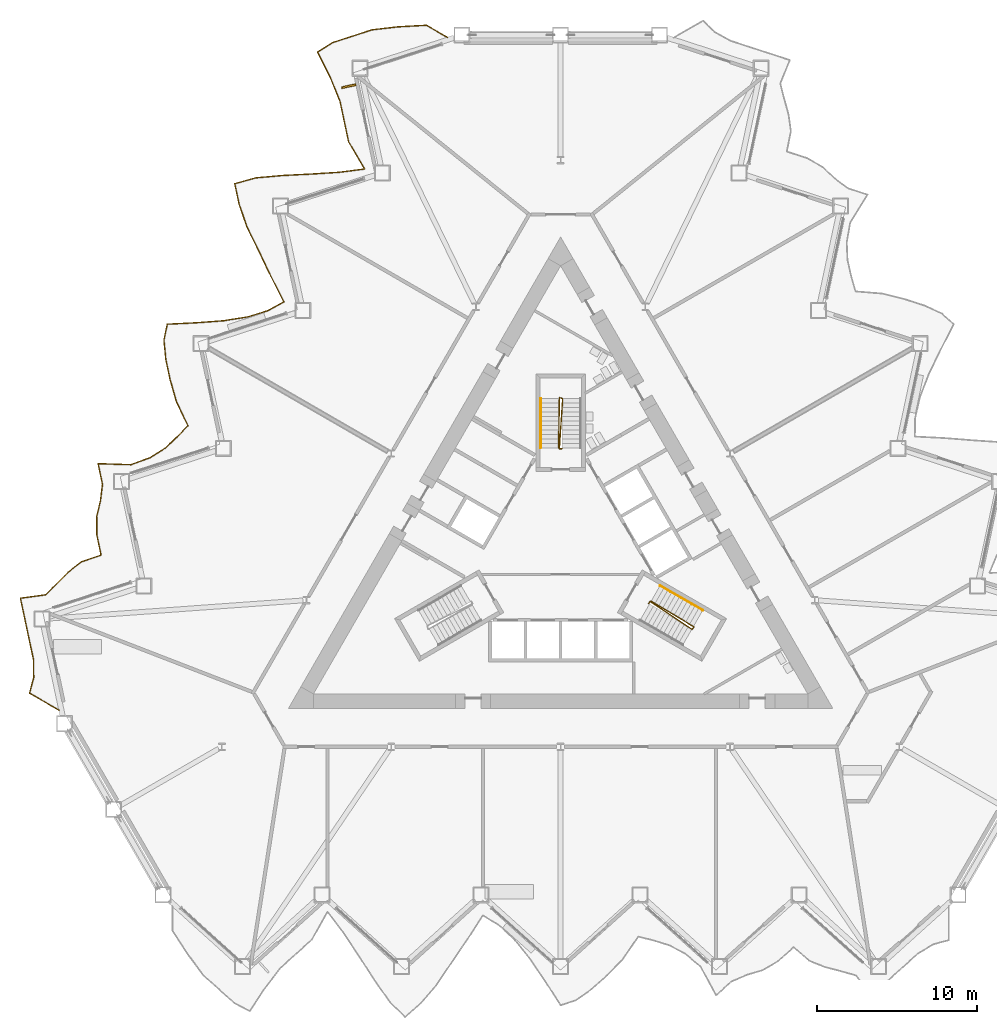
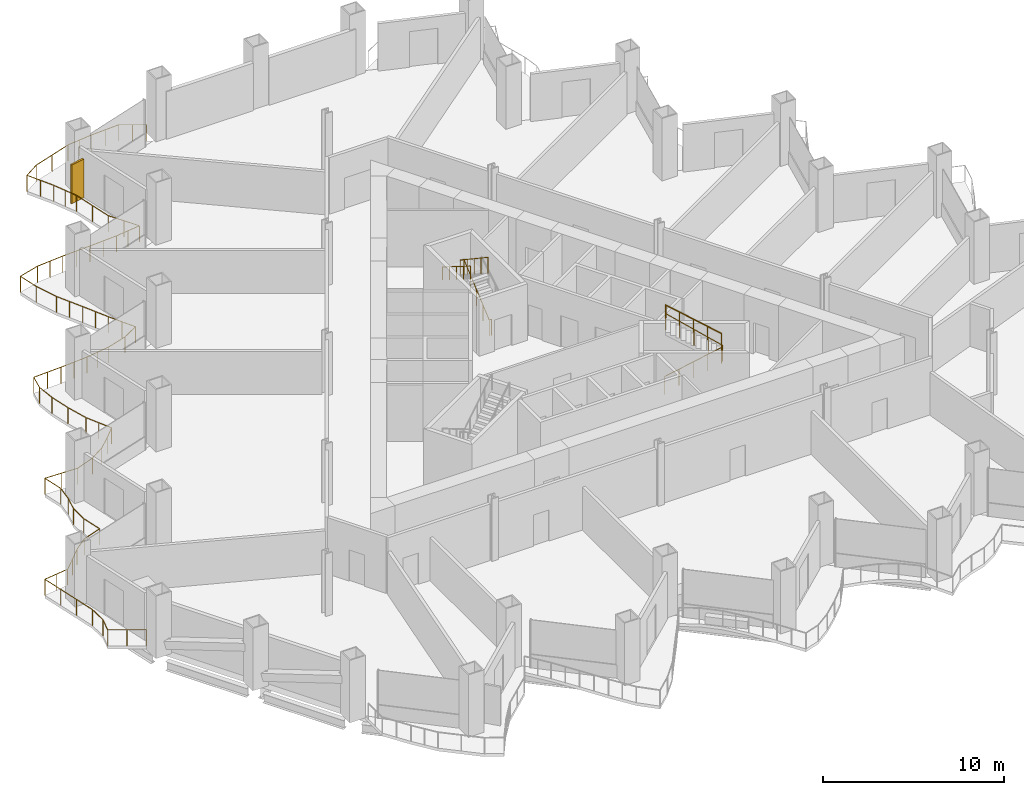
# One storey, part 18 of 21: 5 railings, 1 shading device.
"""IFC4 building model written with IfcOpenShell, lengths in metres."""

from ifc_helpers import new_model, si_unit, direction, frame, origin, origin_2d, place, context, subcontext, project, spatial, rectangle, circle, extrude, material, layer, layer_set, type_object, element, save


model = new_model("IFC4")

# Units and contexts
model_context = context("Model", 3, precision=1e-05, world=origin(), true_north=direction((0.0, 1.0)))
body_context = subcontext(model_context, "Body", "Model", "MODEL_VIEW")
ifc_project = project(units=[si_unit("LENGTHUNIT", "METRE"), si_unit("AREAUNIT", "SQUARE_METRE"), si_unit("VOLUMEUNIT", "CUBIC_METRE"), si_unit("PLANEANGLEUNIT", "RADIAN"), si_unit("MASSUNIT", "GRAM", prefix="KILO")], contexts=[model_context])

# Site, building, storey
site_placement = place(None, origin())
site = spatial("IfcSite", under=ifc_project, at=site_placement, CompositionType="ELEMENT")
building_placement = place(site_placement, origin())
building = spatial("IfcBuilding", under=site, at=building_placement, Name="Cormorant Prow Tower", CompositionType="ELEMENT")
storey_placement = place(building_placement, frame((0.0, 0.0, 46.800048828125)))
storey = spatial("IfcBuildingStorey", under=building, at=storey_placement, Name="L09", CompositionType="ELEMENT", Elevation=46.800048828125)

# Railings
ifc_material_1 = material(Name="Aluminium 6063-T6", Category="aluminium")
railing_type_1 = type_object("IfcRailingType", Name="Balcony guard 1100", PredefinedType="GUARDRAIL", material=ifc_material_1)
railing_1_placement = place(storey_placement, frame((-7.06591796875, 32.09619140625, 0.0)))
element("IfcRailing", 1, at=railing_1_placement, inside=storey, type_object=railing_type_1, Name="Balcony guard WNW", PredefinedType="GUARDRAIL", context=body_context, shape_type="SweptSolid", body=[
    extrude(circle(Radius=0.02392578125, at=origin_2d()), frame((0.0, 0.0, 1.076171875), z_axis=(-0.865990296034, 0.500060803479, 0.0), x_axis=(-0.500060803479, -0.865990296034, 0.0)), (0.0, 0.0, 1.0), 1.519775390625),
    extrude(circle(Radius=0.02392578125, at=origin_2d()), frame((-1.316162109375, 0.760009765625, 1.076171875), z_axis=(-0.998517338531, -0.054434590592, 0.0), x_axis=(0.054434590592, -0.998517338531, 0.0)), (0.0, 0.0, 1.0), 1.776123046875),
    extrude(circle(Radius=0.02392578125, at=origin_2d()), frame((-3.089599609375, 0.663330078125, 1.076171875), z_axis=(-0.993522534747, -0.11363526279, 0.0), x_axis=(0.11363526279, -0.993522534747, 0.0)), (0.0, 0.0, 1.0), 1.630615234375),
    extrude(circle(Radius=0.02392578125, at=origin_2d()), frame((-4.709716796875, 0.47802734375, 1.076171875), z_axis=(-0.951049180551, -0.309039570562, 0.0), x_axis=(0.309039570562, -0.951049180551, 0.0)), (0.0, 0.0, 1.0), 1.305908203125),
    extrude(circle(Radius=0.02392578125, at=origin_2d()), frame((-5.95166015625, 0.074462890625, 1.076171875), z_axis=(-0.951067031183, -0.308984631004, 0.0), x_axis=(0.308984631004, -0.951067031183, 0.0)), (0.0, 0.0, 1.0), 1.30615234375),
    extrude(circle(Radius=0.02392578125, at=origin_2d()), frame((-7.19384765625, -0.3291015625, 1.076171875), z_axis=(-0.843698219054, -0.536817767185, 0.0), x_axis=(0.536817767185, -0.843698219054, 0.0)), (0.0, 0.0, 1.0), 1.0947265625),
    extrude(circle(Radius=0.02392578125, at=origin_2d()), frame((-8.117431640625, -0.916748046875, 1.076171875), z_axis=(0.44887173014, -0.893596200686, 0.0), x_axis=(0.893596200686, 0.44887173014, 0.0)), (0.0, 0.0, 1.0), 1.76611328125),
    extrude(circle(Radius=0.02392578125, at=origin_2d()), frame((-7.32470703125, -2.494873046875, 1.076171875), z_axis=(0.378968463583, -0.925409586945, 0.0), x_axis=(0.925409586945, 0.378968463583, 0.0)), (0.0, 0.0, 1.0), 1.586181640625),
    extrude(circle(Radius=0.02392578125, at=origin_2d()), frame((-6.7236328125, -3.962646484375, 1.076171875), z_axis=(0.207894531291, -0.978151247946, 0.0), x_axis=(0.978151247946, 0.207894531291, 0.0)), (0.0, 0.0, 1.0), 1.305908203125),
    extrude(circle(Radius=0.02392578125, at=origin_2d()), frame((-6.4521484375, -5.239990234375, 1.076171875), z_axis=(0.207856520253, -0.978159325973, 0.0), x_axis=(0.978159325973, 0.207856520253, 0.0)), (0.0, 0.0, 1.0), 1.30615234375),
    extrude(circle(Radius=0.02392578125, at=origin_2d()), frame((-6.1806640625, -6.517578125, 1.076171875), z_axis=(0.507982665152, -0.861367292103, 0.0), x_axis=(0.861367292103, 0.507982665152, 0.0)), (0.0, 0.0, 1.0), 1.972412109375),
    extrude(circle(Radius=0.02392578125, at=origin_2d()), frame((-5.1787109375, -8.216552734375, 1.076171875), z_axis=(-0.991647214586, -0.128979850379, 0.0), x_axis=(0.128979850379, -0.991647214586, 0.0)), (0.0, 0.0, 1.0), 1.59765625),
    extrude(circle(Radius=0.02392578125, at=origin_2d()), frame((-6.762939453125, -8.422607421875, 1.076171875), z_axis=(-0.998037387878, -0.062620862318, 0.0), x_axis=(0.062620862318, -0.998037387878, 0.0)), (0.0, 0.0, 1.0), 1.75439453125),
    extrude(circle(Radius=0.02392578125, at=origin_2d()), frame((-8.513916015625, -8.532470703125, 1.076171875), z_axis=(-0.998758457633, -0.04981509115, 0.0), x_axis=(0.04981509115, -0.998758457633, 0.0)), (0.0, 0.0, 1.0), 1.788818359375),
    extrude(circle(Radius=0.02392578125, at=origin_2d()), frame((-10.300537109375, -8.62158203125, 1.076171875), z_axis=(-0.996079436676, -0.088463302169, 0.0), x_axis=(0.088463302169, -0.996079436676, 0.0)), (0.0, 0.0, 1.0), 1.68896484375),
    extrude(circle(Radius=0.02392578125, at=origin_2d()), frame((-11.98291015625, -8.77099609375, 1.076171875), z_axis=(-0.962750578639, -0.270391056304, 0.0), x_axis=(0.270391056304, -0.962750578639, 0.0)), (0.0, 0.0, 1.0), 1.356201171875),
    extrude(circle(Radius=0.02392578125, at=origin_2d()), frame((-13.28857421875, -9.1376953125, 1.076171875), z_axis=(0.207856520253, -0.978159325973, 0.0), x_axis=(0.978159325973, 0.207856520253, 0.0)), (0.0, 0.0, 1.0), 1.30615234375),
    extrude(circle(Radius=0.02392578125, at=origin_2d()), frame((-13.01708984375, -10.415283203125, 1.076171875), z_axis=(0.324104480533, -0.946021292413, 0.0), x_axis=(0.946021292413, 0.324104480533, 0.0)), (0.0, 0.0, 1.0), 1.476318359375),
    extrude(circle(Radius=0.02392578125, at=origin_2d()), frame((-12.53857421875, -11.81201171875, 1.076171875), z_axis=(0.440130608618, -0.897933765574, 0.0), x_axis=(0.897933765574, 0.440130608618, 0.0)), (0.0, 0.0, 1.0), 1.74072265625),
    extrude(circle(Radius=0.02392578125, at=origin_2d()), frame((-11.7724609375, -13.375, 1.076171875), z_axis=(0.431027312147, -0.902338881011, 0.0), x_axis=(0.902338881011, 0.431027312147, 0.0)), (0.0, 0.0, 1.0), 1.715087890625),
    extrude(circle(Radius=0.02392578125, at=origin_2d()), frame((-11.033203125, -14.922607421875, 1.076171875), z_axis=(0.455019487551, -0.890481479846, 0.0), x_axis=(0.890481479846, 0.455019487551, 0.0)), (0.0, 0.0, 1.0), 1.78515625),
    extrude(circle(Radius=0.02392578125, at=origin_2d()), frame((-10.220947265625, -16.51220703125, 1.076171875), z_axis=(-0.87344335233, -0.486925774908, 0.0), x_axis=(0.486925774908, -0.87344335233, 0.0)), (0.0, 0.0, 1.0), 1.130615234375),
    extrude(circle(Radius=0.02392578125, at=origin_2d()), frame((-11.20849609375, -17.062744140625, 1.076171875), z_axis=(-0.954404207013, -0.29851735232, 0.0), x_axis=(0.29851735232, -0.954404207013, 0.0)), (0.0, 0.0, 1.0), 1.319091796875),
    extrude(circle(Radius=0.02392578125, at=origin_2d()), frame((-12.467529296875, -17.45654296875, 1.076171875), z_axis=(-0.987908612353, -0.155037329822, 0.0), x_axis=(0.155037329822, -0.987908612353, 0.0)), (0.0, 0.0, 1.0), 1.544921875),
    extrude(circle(Radius=0.02392578125, at=origin_2d()), frame((-13.99365234375, -17.696044921875, 1.076171875), z_axis=(-0.997256543763, -0.07402287431, 0.0), x_axis=(0.07402287431, -0.997256543763, 0.0)), (0.0, 0.0, 1.0), 1.724853515625),
    extrude(circle(Radius=0.02392578125, at=origin_2d()), frame((-15.7138671875, -17.82373046875, 1.076171875), z_axis=(-0.998837748193, -0.048199095265, 0.0), x_axis=(0.048199095265, -0.998837748193, 0.0)), (0.0, 0.0, 1.0), 1.793212890625),
    extrude(circle(Radius=0.02392578125, at=origin_2d()), frame((-17.5048828125, -17.91015625, 1.076171875), z_axis=(-0.203000450605, -0.979178644096, 0.0), x_axis=(0.979178644096, -0.203000450605, 0.0)), (0.0, 0.0, 1.0), 1.022216796875),
    extrude(circle(Radius=0.02392578125, at=origin_2d()), frame((-17.71240234375, -18.9111328125, 1.076171875), z_axis=(0.09583336332, -0.995397391234, 0.0), x_axis=(0.995397391234, 0.09583336332, 0.0)), (0.0, 0.0, 1.0), 1.192138671875),
    extrude(circle(Radius=0.02392578125, at=origin_2d()), frame((-17.59814453125, -20.097900390625, 1.076171875), z_axis=(0.207894531291, -0.978151247946, 0.0), x_axis=(0.978151247946, 0.207894531291, 0.0)), (0.0, 0.0, 1.0), 1.305908203125),
    extrude(circle(Radius=0.02392578125, at=origin_2d()), frame((-17.32666015625, -21.375244140625, 1.076171875), z_axis=(0.271939345535, -0.962314393715, 0.0), x_axis=(0.962314393715, 0.271939345535, 0.0)), (0.0, 0.0, 1.0), 1.3916015625),
    extrude(circle(Radius=0.02392578125, at=origin_2d()), frame((-16.9482421875, -22.71435546875, 1.076171875), z_axis=(0.428295338336, -0.903638812336, 0.0), x_axis=(0.903638812336, 0.428295338336, 0.0)), (0.0, 0.0, 1.0), 1.707275390625),
    extrude(circle(Radius=0.02392578125, at=origin_2d()), frame((-16.217041015625, -24.257080078125, 1.076171875), z_axis=(-0.694049726297, -0.719927063964, 0.0), x_axis=(0.719927063964, -0.694049726297, 0.0)), (0.0, 0.0, 1.0), 1.0),
    extrude(circle(Radius=0.02392578125, at=origin_2d()), frame((-16.9111328125, -24.97705078125, 1.076171875), z_axis=(-0.734877098339, -0.678200302519, 0.0), x_axis=(0.678200302519, -0.734877098339, 0.0)), (0.0, 0.0, 1.0), 1.0166015625),
    extrude(circle(Radius=0.02392578125, at=origin_2d()), frame((-17.658203125, -25.66650390625, 1.076171875), z_axis=(-0.845499485471, -0.533976235491, 0.0), x_axis=(0.533976235491, -0.845499485471, 0.0)), (0.0, 0.0, 1.0), 1.096435546875),
    extrude(circle(Radius=0.02392578125, at=origin_2d()), frame((-18.585205078125, -26.251953125, 1.076171875), z_axis=(-0.9391608117, -0.34347775731, 0.0), x_axis=(0.34347775731, -0.9391608117, 0.0)), (0.0, 0.0, 1.0), 1.26513671875),
    extrude(circle(Radius=0.02392578125, at=origin_2d()), frame((-19.7734375, -26.6865234375, 1.076171875), z_axis=(-0.999517861856, 0.031049055218, 0.0), x_axis=(-0.031049055218, -0.999517861856, 0.0)), (0.0, 0.0, 1.0), 2.05224609375),
    extrude(circle(Radius=0.02392578125, at=origin_2d()), frame((-21.82470703125, -26.622802734375, 1.076171875), z_axis=(0.207856520253, -0.978159325973, 0.0), x_axis=(0.978159325973, 0.207856520253, 0.0)), (0.0, 0.0, 1.0), 1.30615234375),
    extrude(circle(Radius=0.02392578125, at=origin_2d()), frame((-21.55322265625, -27.900390625, 1.076171875), z_axis=(-0.117887281495, -0.993026982947, 0.0), x_axis=(0.993026982947, -0.117887281495, 0.0)), (0.0, 0.0, 1.0), 1.05615234375),
    extrude(circle(Radius=0.02392578125, at=origin_2d()), frame((-21.677734375, -28.94921875, 1.076171875), z_axis=(-0.235088794818, -0.971973898081, 0.0), x_axis=(0.971973898081, -0.235088794818, 0.0)), (0.0, 0.0, 1.0), 1.011474609375),
    extrude(circle(Radius=0.02392578125, at=origin_2d()), frame((-21.91552734375, -29.932373046875, 1.076171875), z_axis=(0.006942770397, -0.999975898679, 0.0), x_axis=(0.999975898679, 0.006942770397, 0.0)), (0.0, 0.0, 1.0), 1.125244140625),
    extrude(circle(Radius=0.02392578125, at=origin_2d()), frame((-21.90771484375, -31.0576171875, 1.076171875), z_axis=(0.207856520253, -0.978159325973, 0.0), x_axis=(0.978159325973, 0.207856520253, 0.0)), (0.0, 0.0, 1.0), 1.30615234375),
    extrude(circle(Radius=0.02392578125, at=origin_2d()), frame((-21.63623046875, -32.335205078125, 1.076171875), z_axis=(-0.946870718951, -0.321614430013, 0.0), x_axis=(0.321614430013, -0.946870718951, 0.0)), (0.0, 0.0, 1.0), 1.29052734375),
    extrude(circle(Radius=0.02392578125, at=origin_2d()), frame((-22.858154296875, -32.750244140625, 1.076171875), z_axis=(-0.787918275033, -0.615779824182, 0.0), x_axis=(0.615779824182, -0.787918275033, 0.0)), (0.0, 0.0, 1.0), 1.046630859375),
    extrude(circle(Radius=0.02392578125, at=origin_2d()), frame((-23.682861328125, -33.394775390625, 1.076171875), z_axis=(-0.701484416498, -0.712684792465, 0.0), x_axis=(0.712684792465, -0.701484416498, 0.0)), (0.0, 0.0, 1.0), 1.002685546875),
    extrude(circle(Radius=0.02392578125, at=origin_2d()), frame((-24.38623046875, -34.109375, 1.076171875), z_axis=(-0.714815599377, -0.699312990647, 0.0), x_axis=(0.699312990647, -0.714815599377, 0.0)), (0.0, 0.0, 1.0), 1.0078125),
    extrude(circle(Radius=0.02392578125, at=origin_2d()), frame((-25.106689453125, -34.814208984375, 1.076171875), z_axis=(-0.990858260816, -0.134907030848, 0.0), x_axis=(0.134907030848, -0.990858260816, 0.0)), (0.0, 0.0, 1.0), 1.585205078125),
    extrude(circle(Radius=0.02392578125, at=origin_2d()), frame((-26.677490234375, -35.028076171875, 1.076171875), z_axis=(0.208073396131, -0.978113215238, 0.0), x_axis=(0.978113215238, 0.208073396131, 0.0)), (0.0, 0.0, 1.0), 1.305908203125),
    extrude(circle(Radius=0.02392578125, at=origin_2d()), frame((-26.40576171875, -36.305419921875, 1.076171875), z_axis=(0.207856520253, -0.978159325973, 0.0), x_axis=(0.978159325973, 0.207856520253, 0.0)), (0.0, 0.0, 1.0), 1.30615234375),
    extrude(circle(Radius=0.02392578125, at=origin_2d()), frame((-26.13427734375, -37.5830078125, 1.076171875), z_axis=(0.207894531291, -0.978151247946, 0.0), x_axis=(0.978151247946, 0.207894531291, 0.0)), (0.0, 0.0, 1.0), 1.305908203125),
    extrude(circle(Radius=0.02392578125, at=origin_2d()), frame((-25.86279296875, -38.8603515625, 1.076171875), z_axis=(0.012971881448, -0.999915861606, 0.0), x_axis=(0.999915861606, 0.012971881448, 0.0)), (0.0, 0.0, 1.0), 1.129150390625),
    extrude(circle(Radius=0.02392578125, at=origin_2d()), frame((-25.84814453125, -39.989501953125, 1.076171875), z_axis=(-0.258796817064, -0.965931782, 0.0), x_axis=(0.965931782, -0.258796817064, 0.0)), (0.0, 0.0, 1.0), 1.004638671875),
    extrude(circle(Radius=0.02392578125, at=origin_2d()), frame((-26.108154296875, -40.9599609375, 1.076171875), z_axis=(0.866027189425, -0.499996907167, 0.0), x_axis=(0.499996907167, 0.866027189425, 0.0)), (0.0, 0.0, 1.0), 2.13037109375),
    extrude(circle(Radius=0.02099609375, at=origin_2d()), origin(), (0.0, 0.0, 1.0), 1.052001953125),
    extrude(circle(Radius=0.02099609375, at=origin_2d()), frame((-0.658203125, 0.3798828125, 0.0)), (0.0, 0.0, 1.0), 1.052001953125),
    extrude(circle(Radius=0.02099609375, at=origin_2d()), frame((-1.316162109375, 0.760009765625, 0.0)), (0.0, 0.0, 1.0), 1.052001953125),
    extrude(circle(Radius=0.02099609375, at=origin_2d()), frame((-2.202880859375, 0.711669921875, 0.0)), (0.0, 0.0, 1.0), 1.052001953125),
    extrude(circle(Radius=0.02099609375, at=origin_2d()), frame((-3.089599609375, 0.663330078125, 0.0)), (0.0, 0.0, 1.0), 1.052001953125),
    extrude(circle(Radius=0.02099609375, at=origin_2d()), frame((-3.899658203125, 0.57080078125, 0.0)), (0.0, 0.0, 1.0), 1.052001953125),
    extrude(circle(Radius=0.02099609375, at=origin_2d()), frame((-4.709716796875, 0.47802734375, 0.0)), (0.0, 0.0, 1.0), 1.052001953125),
    extrude(circle(Radius=0.02099609375, at=origin_2d()), frame((-5.95166015625, 0.074462890625, 0.0)), (0.0, 0.0, 1.0), 1.052001953125),
    extrude(circle(Radius=0.02099609375, at=origin_2d()), frame((-7.19384765625, -0.3291015625, 0.0)), (0.0, 0.0, 1.0), 1.052001953125),
    extrude(circle(Radius=0.02099609375, at=origin_2d()), frame((-8.117431640625, -0.916748046875, 0.0)), (0.0, 0.0, 1.0), 1.052001953125),
    extrude(circle(Radius=0.02099609375, at=origin_2d()), frame((-7.72119140625, -1.705810546875, 0.0)), (0.0, 0.0, 1.0), 1.052001953125),
    extrude(circle(Radius=0.02099609375, at=origin_2d()), frame((-7.32470703125, -2.494873046875, 0.0)), (0.0, 0.0, 1.0), 1.052001953125),
    extrude(circle(Radius=0.02099609375, at=origin_2d()), frame((-7.024169921875, -3.228759765625, 0.0)), (0.0, 0.0, 1.0), 1.052001953125),
    extrude(circle(Radius=0.02099609375, at=origin_2d()), frame((-6.7236328125, -3.962646484375, 0.0)), (0.0, 0.0, 1.0), 1.052001953125),
    extrude(circle(Radius=0.02099609375, at=origin_2d()), frame((-6.4521484375, -5.239990234375, 0.0)), (0.0, 0.0, 1.0), 1.052001953125),
    extrude(circle(Radius=0.02099609375, at=origin_2d()), frame((-6.1806640625, -6.517578125, 0.0)), (0.0, 0.0, 1.0), 1.052001953125),
    extrude(circle(Radius=0.02099609375, at=origin_2d()), frame((-5.6796875, -7.3671875, 0.0)), (0.0, 0.0, 1.0), 1.052001953125),
    extrude(circle(Radius=0.02099609375, at=origin_2d()), frame((-5.1787109375, -8.216552734375, 0.0)), (0.0, 0.0, 1.0), 1.052001953125),
    extrude(circle(Radius=0.02099609375, at=origin_2d()), frame((-5.970703125, -8.319580078125, 0.0)), (0.0, 0.0, 1.0), 1.052001953125),
    extrude(circle(Radius=0.02099609375, at=origin_2d()), frame((-6.762939453125, -8.422607421875, 0.0)), (0.0, 0.0, 1.0), 1.052001953125),
    extrude(circle(Radius=0.02099609375, at=origin_2d()), frame((-7.638427734375, -8.4775390625, 0.0)), (0.0, 0.0, 1.0), 1.052001953125),
    extrude(circle(Radius=0.02099609375, at=origin_2d()), frame((-8.513916015625, -8.532470703125, 0.0)), (0.0, 0.0, 1.0), 1.052001953125),
    extrude(circle(Radius=0.02099609375, at=origin_2d()), frame((-9.4072265625, -8.5771484375, 0.0)), (0.0, 0.0, 1.0), 1.052001953125),
    extrude(circle(Radius=0.02099609375, at=origin_2d()), frame((-10.300537109375, -8.62158203125, 0.0)), (0.0, 0.0, 1.0), 1.052001953125),
    extrude(circle(Radius=0.02099609375, at=origin_2d()), frame((-11.1416015625, -8.6962890625, 0.0)), (0.0, 0.0, 1.0), 1.052001953125),
    extrude(circle(Radius=0.02099609375, at=origin_2d()), frame((-11.98291015625, -8.77099609375, 0.0)), (0.0, 0.0, 1.0), 1.052001953125),
    extrude(circle(Radius=0.02099609375, at=origin_2d()), frame((-13.28857421875, -9.1376953125, 0.0)), (0.0, 0.0, 1.0), 1.052001953125),
    extrude(circle(Radius=0.02099609375, at=origin_2d()), frame((-13.01708984375, -10.415283203125, 0.0)), (0.0, 0.0, 1.0), 1.052001953125),
    extrude(circle(Radius=0.02099609375, at=origin_2d()), frame((-12.53857421875, -11.81201171875, 0.0)), (0.0, 0.0, 1.0), 1.052001953125),
    extrude(circle(Radius=0.02099609375, at=origin_2d()), frame((-12.155517578125, -12.593505859375, 0.0)), (0.0, 0.0, 1.0), 1.052001953125),
    extrude(circle(Radius=0.02099609375, at=origin_2d()), frame((-11.7724609375, -13.375, 0.0)), (0.0, 0.0, 1.0), 1.052001953125),
    extrude(circle(Radius=0.02099609375, at=origin_2d()), frame((-11.40283203125, -14.14892578125, 0.0)), (0.0, 0.0, 1.0), 1.052001953125),
    extrude(circle(Radius=0.02099609375, at=origin_2d()), frame((-11.033203125, -14.922607421875, 0.0)), (0.0, 0.0, 1.0), 1.052001953125),
    extrude(circle(Radius=0.02099609375, at=origin_2d()), frame((-10.626953125, -15.71728515625, 0.0)), (0.0, 0.0, 1.0), 1.052001953125),
    extrude(circle(Radius=0.02099609375, at=origin_2d()), frame((-10.220947265625, -16.51220703125, 0.0)), (0.0, 0.0, 1.0), 1.052001953125),
    extrude(circle(Radius=0.02099609375, at=origin_2d()), frame((-11.20849609375, -17.062744140625, 0.0)), (0.0, 0.0, 1.0), 1.052001953125),
    extrude(circle(Radius=0.02099609375, at=origin_2d()), frame((-12.467529296875, -17.45654296875, 0.0)), (0.0, 0.0, 1.0), 1.052001953125),
    extrude(circle(Radius=0.02099609375, at=origin_2d()), frame((-13.23046875, -17.576171875, 0.0)), (0.0, 0.0, 1.0), 1.052001953125),
    extrude(circle(Radius=0.02099609375, at=origin_2d()), frame((-13.99365234375, -17.696044921875, 0.0)), (0.0, 0.0, 1.0), 1.052001953125),
    extrude(circle(Radius=0.02099609375, at=origin_2d()), frame((-14.853759765625, -17.759765625, 0.0)), (0.0, 0.0, 1.0), 1.052001953125),
    extrude(circle(Radius=0.02099609375, at=origin_2d()), frame((-15.7138671875, -17.82373046875, 0.0)), (0.0, 0.0, 1.0), 1.052001953125),
    extrude(circle(Radius=0.02099609375, at=origin_2d()), frame((-16.609375, -17.866943359375, 0.0)), (0.0, 0.0, 1.0), 1.052001953125),
    extrude(circle(Radius=0.02099609375, at=origin_2d()), frame((-17.5048828125, -17.91015625, 0.0)), (0.0, 0.0, 1.0), 1.052001953125),
    extrude(circle(Radius=0.02099609375, at=origin_2d()), frame((-17.71240234375, -18.9111328125, 0.0)), (0.0, 0.0, 1.0), 1.052001953125),
    extrude(circle(Radius=0.02099609375, at=origin_2d()), frame((-17.59814453125, -20.097900390625, 0.0)), (0.0, 0.0, 1.0), 1.052001953125),
    extrude(circle(Radius=0.02099609375, at=origin_2d()), frame((-17.32666015625, -21.375244140625, 0.0)), (0.0, 0.0, 1.0), 1.052001953125),
    extrude(circle(Radius=0.02099609375, at=origin_2d()), frame((-16.9482421875, -22.71435546875, 0.0)), (0.0, 0.0, 1.0), 1.052001953125),
    extrude(circle(Radius=0.02099609375, at=origin_2d()), frame((-16.58251953125, -23.48583984375, 0.0)), (0.0, 0.0, 1.0), 1.052001953125),
    extrude(circle(Radius=0.02099609375, at=origin_2d()), frame((-16.217041015625, -24.257080078125, 0.0)), (0.0, 0.0, 1.0), 1.052001953125),
    extrude(circle(Radius=0.02099609375, at=origin_2d()), frame((-16.9111328125, -24.97705078125, 0.0)), (0.0, 0.0, 1.0), 1.052001953125),
    extrude(circle(Radius=0.02099609375, at=origin_2d()), frame((-17.658203125, -25.66650390625, 0.0)), (0.0, 0.0, 1.0), 1.052001953125),
    extrude(circle(Radius=0.02099609375, at=origin_2d()), frame((-18.585205078125, -26.251953125, 0.0)), (0.0, 0.0, 1.0), 1.052001953125),
    extrude(circle(Radius=0.02099609375, at=origin_2d()), frame((-19.7734375, -26.6865234375, 0.0)), (0.0, 0.0, 1.0), 1.052001953125),
    extrude(circle(Radius=0.02099609375, at=origin_2d()), frame((-20.799072265625, -26.65478515625, 0.0)), (0.0, 0.0, 1.0), 1.052001953125),
    extrude(circle(Radius=0.02099609375, at=origin_2d()), frame((-21.82470703125, -26.622802734375, 0.0)), (0.0, 0.0, 1.0), 1.052001953125),
    extrude(circle(Radius=0.02099609375, at=origin_2d()), frame((-21.55322265625, -27.900390625, 0.0)), (0.0, 0.0, 1.0), 1.052001953125),
    extrude(circle(Radius=0.02099609375, at=origin_2d()), frame((-21.677734375, -28.94921875, 0.0)), (0.0, 0.0, 1.0), 1.052001953125),
    extrude(circle(Radius=0.02099609375, at=origin_2d()), frame((-21.91552734375, -29.932373046875, 0.0)), (0.0, 0.0, 1.0), 1.052001953125),
    extrude(circle(Radius=0.02099609375, at=origin_2d()), frame((-21.90771484375, -31.0576171875, 0.0)), (0.0, 0.0, 1.0), 1.052001953125),
    extrude(circle(Radius=0.02099609375, at=origin_2d()), frame((-21.63623046875, -32.335205078125, 0.0)), (0.0, 0.0, 1.0), 1.052001953125),
    extrude(circle(Radius=0.02099609375, at=origin_2d()), frame((-22.858154296875, -32.750244140625, 0.0)), (0.0, 0.0, 1.0), 1.052001953125),
    extrude(circle(Radius=0.02099609375, at=origin_2d()), frame((-23.682861328125, -33.394775390625, 0.0)), (0.0, 0.0, 1.0), 1.052001953125),
    extrude(circle(Radius=0.02099609375, at=origin_2d()), frame((-24.38623046875, -34.109375, 0.0)), (0.0, 0.0, 1.0), 1.052001953125),
    extrude(circle(Radius=0.02099609375, at=origin_2d()), frame((-25.106689453125, -34.814208984375, 0.0)), (0.0, 0.0, 1.0), 1.052001953125),
    extrude(circle(Radius=0.02099609375, at=origin_2d()), frame((-25.89208984375, -34.921142578125, 0.0)), (0.0, 0.0, 1.0), 1.052001953125),
    extrude(circle(Radius=0.02099609375, at=origin_2d()), frame((-26.677490234375, -35.028076171875, 0.0)), (0.0, 0.0, 1.0), 1.052001953125),
    extrude(circle(Radius=0.02099609375, at=origin_2d()), frame((-26.40576171875, -36.305419921875, 0.0)), (0.0, 0.0, 1.0), 1.052001953125),
    extrude(circle(Radius=0.02099609375, at=origin_2d()), frame((-26.13427734375, -37.5830078125, 0.0)), (0.0, 0.0, 1.0), 1.052001953125),
    extrude(circle(Radius=0.02099609375, at=origin_2d()), frame((-25.86279296875, -38.8603515625, 0.0)), (0.0, 0.0, 1.0), 1.052001953125),
    extrude(circle(Radius=0.02099609375, at=origin_2d()), frame((-25.84814453125, -39.989501953125, 0.0)), (0.0, 0.0, 1.0), 1.052001953125),
    extrude(circle(Radius=0.02099609375, at=origin_2d()), frame((-26.108154296875, -40.9599609375, 0.0)), (0.0, 0.0, 1.0), 1.052001953125),
    extrude(circle(Radius=0.02099609375, at=origin_2d()), frame((-25.185546875, -41.49267578125, 0.0)), (0.0, 0.0, 1.0), 1.052001953125),
    extrude(circle(Radius=0.02099609375, at=origin_2d()), frame((-24.26318359375, -42.025146484375, 0.0)), (0.0, 0.0, 1.0), 1.052001953125),
])
ifc_material_2 = material(Name="Stainless steel", Category="steel")
railing_type_2 = type_object("IfcRailingType", Name="Stair guard 1100", PredefinedType="GUARDRAIL", material=ifc_material_2)
railing_2_placement = place(storey_placement, frame((5.510009765625, -3.267822265625, 0.0)))
element("IfcRailing", 2, at=railing_2_placement, inside=storey, type_object=railing_type_2, Name="L09 ST2 stair guard 1", PredefinedType="GUARDRAIL", context=body_context, shape_type="SweptSolid", body=[
    extrude(circle(Radius=0.02392578125, at=origin_2d()), frame((0.0, 0.0, 1.076171875), z_axis=(0.501036270542, 0.865426285481, 0.0), x_axis=(-0.865426285481, 0.501036270542, 0.0)), (0.0, 0.0, 1.0), 0.150146484375),
    extrude(circle(Radius=0.02392578125, at=origin_2d()), frame((0.0751953125, 0.1298828125, 1.076171875), z_axis=(0.691655524431, -0.460543096787, 0.55633864824), x_axis=(0.554233058506, 0.832361530141, 0.0)), (0.0, 0.0, 1.0), 3.7744140625),
    extrude(circle(Radius=0.02392578125, at=origin_2d()), frame((2.685791015625, -1.6083984375, 3.17578125), z_axis=(0.695164929852, 0.718850276695, 0.0), x_axis=(-0.718850276695, 0.695164929852, 0.0)), (0.0, 0.0, 1.0), 0.2060546875),
    extrude(circle(Radius=0.02392578125, at=origin_2d()), frame((2.8291015625, -1.460205078125, 3.17578125), z_axis=(-0.712463317363, 0.426661970256, 0.557095669117), x_axis=(-0.513773053629, -0.857926132814, 0.0)), (0.0, 0.0, 1.0), 3.769775390625),
    extrude(circle(Radius=0.02099609375, at=origin_2d()), origin(), (0.0, 0.0, 1.0), 1.052001953125),
    extrude(circle(Radius=0.02099609375, at=origin_2d()), frame((0.0751953125, 0.1298828125, 0.0)), (0.0, 0.0, 1.0), 1.052001953125),
    extrude(circle(Radius=0.02099609375, at=origin_2d()), frame((0.727783203125, -0.3046875, 0.52490234375)), (0.0, 0.0, 1.0), 1.052001953125),
    extrude(circle(Radius=0.02099609375, at=origin_2d()), frame((1.38037109375, -0.7392578125, 1.0498046875)), (0.0, 0.0, 1.0), 1.052001953125),
    extrude(circle(Radius=0.02099609375, at=origin_2d()), frame((2.033203125, -1.173828125, 1.574951171875)), (0.0, 0.0, 1.0), 1.052001953125),
    extrude(circle(Radius=0.02099609375, at=origin_2d()), frame((2.685791015625, -1.6083984375, 2.099853515625)), (0.0, 0.0, 1.0), 1.052001953125),
    extrude(circle(Radius=0.02099609375, at=origin_2d()), frame((2.8291015625, -1.460205078125, 2.099853515625)), (0.0, 0.0, 1.0), 1.052001953125),
    extrude(circle(Radius=0.02099609375, at=origin_2d()), frame((2.15771484375, -1.05810546875, 2.625)), (0.0, 0.0, 1.0), 1.052001953125),
    extrude(circle(Radius=0.02099609375, at=origin_2d()), frame((1.486328125, -0.656005859375, 3.14990234375)), (0.0, 0.0, 1.0), 1.052001953125),
    extrude(circle(Radius=0.02099609375, at=origin_2d()), frame((0.814697265625, -0.25390625, 3.6748046875)), (0.0, 0.0, 1.0), 1.052001953125),
    extrude(circle(Radius=0.02099609375, at=origin_2d()), frame((0.143310546875, 0.148193359375, 4.199951171875)), (0.0, 0.0, 1.0), 1.052001953125),
])
railing_3_placement = place(storey_placement, frame((0.074951171875, 6.40576171875, 0.0)))
element("IfcRailing", 3, at=railing_3_placement, inside=storey, type_object=railing_type_2, Name="L09 ST3 stair guard 1", PredefinedType="GUARDRAIL", context=body_context, shape_type="SweptSolid", body=[
    extrude(circle(Radius=0.02392578125, at=origin_2d()), frame((0.0, 0.0, 1.076171875), z_axis=(-1.0, 0.0, 0.0), x_axis=(0.0, -1.0, 0.0)), (0.0, 0.0, 1.0), 0.14990234375),
    extrude(circle(Radius=0.02392578125, at=origin_2d()), frame((-0.14990234375, 0.0, 1.076171875), z_axis=(0.052973824345, 0.829276437025, 0.556322177276), x_axis=(-0.997965923181, 0.063749636618, 0.0)), (0.0, 0.0, 1.0), 3.7744140625),
    extrude(circle(Radius=0.02392578125, at=origin_2d()), frame((0.050048828125, 3.130126953125, 3.17578125), z_axis=(-0.970072785993, 0.242814311512, 0.0), x_axis=(-0.242814311512, -0.970072785993, 0.0)), (0.0, 0.0, 1.0), 0.2060546875),
    extrude(circle(Radius=0.02392578125, at=origin_2d()), frame((-0.14990234375, 3.18017578125, 3.17578125), z_axis=(-0.013276620939, -0.830339302729, 0.557099967403), x_axis=(0.999872194171, -0.015987348866, 0.0)), (0.0, 0.0, 1.0), 3.769775390625),
    extrude(circle(Radius=0.02099609375, at=origin_2d()), origin(), (0.0, 0.0, 1.0), 1.052001953125),
    extrude(circle(Radius=0.02099609375, at=origin_2d()), frame((-0.14990234375, 0.0, 0.0)), (0.0, 0.0, 1.0), 1.052001953125),
    extrude(circle(Radius=0.02099609375, at=origin_2d()), frame((-0.099853515625, 0.782470703125, 0.52490234375)), (0.0, 0.0, 1.0), 1.052001953125),
    extrude(circle(Radius=0.02099609375, at=origin_2d()), frame((-0.0498046875, 1.56494140625, 1.0498046875)), (0.0, 0.0, 1.0), 1.052001953125),
    extrude(circle(Radius=0.02099609375, at=origin_2d()), frame((0.0, 2.34765625, 1.574951171875)), (0.0, 0.0, 1.0), 1.052001953125),
    extrude(circle(Radius=0.02099609375, at=origin_2d()), frame((0.050048828125, 3.130126953125, 2.099853515625)), (0.0, 0.0, 1.0), 1.052001953125),
    extrude(circle(Radius=0.02099609375, at=origin_2d()), frame((-0.14990234375, 3.18017578125, 2.099853515625)), (0.0, 0.0, 1.0), 1.052001953125),
    extrude(circle(Radius=0.02099609375, at=origin_2d()), frame((-0.162353515625, 2.397705078125, 2.625)), (0.0, 0.0, 1.0), 1.052001953125),
    extrude(circle(Radius=0.02099609375, at=origin_2d()), frame((-0.1748046875, 1.615234375, 3.14990234375)), (0.0, 0.0, 1.0), 1.052001953125),
    extrude(circle(Radius=0.02099609375, at=origin_2d()), frame((-0.1875, 0.83251953125, 3.6748046875)), (0.0, 0.0, 1.0), 1.052001953125),
    extrude(circle(Radius=0.02099609375, at=origin_2d()), frame((-0.199951171875, 0.050048828125, 4.199951171875)), (0.0, 0.0, 1.0), 1.052001953125),
])
ifc_material_3 = material(Name="Stainless steel", Category="steel")
railing_type_3 = type_object("IfcRailingType", Name="Stair handrail 900", PredefinedType="HANDRAIL", material=ifc_material_3)
railing_4_placement = place(storey_placement, frame((8.88037109375, -3.690673828125, 2.27490234375)))
element("IfcRailing", 4, at=railing_4_placement, inside=storey, type_object=railing_type_3, Name="L09 ST2 stair handrail 2", PredefinedType="HANDRAIL", context=body_context, shape_type="SweptSolid", body=[
    extrude(circle(Radius=0.02392578125, at=origin_2d()), frame((0.0, 0.0, 0.8759765625), z_axis=(-0.734394994316, 0.423994474112, 0.52999309264), x_axis=(-0.499992328818, -0.866029832698, 0.0)), (0.0, 0.0, 1.0), 3.63232421875),
    extrude(circle(Radius=0.02099609375, at=origin_2d()), origin(), (0.0, 0.0, 1.0), 0.851806640625),
    extrude(circle(Radius=0.02099609375, at=origin_2d()), frame((-0.6669921875, 0.385009765625, 0.481201171875)), (0.0, 0.0, 1.0), 0.851806640625),
    extrude(circle(Radius=0.02099609375, at=origin_2d()), frame((-1.333740234375, 0.77001953125, 0.96240234375)), (0.0, 0.0, 1.0), 0.851806640625),
    extrude(circle(Radius=0.02099609375, at=origin_2d()), frame((-2.00048828125, 1.155029296875, 1.44384765625)), (0.0, 0.0, 1.0), 0.851806640625),
    extrude(circle(Radius=0.02099609375, at=origin_2d()), frame((-2.66748046875, 1.5400390625, 1.925048828125)), (0.0, 0.0, 1.0), 0.851806640625),
])
railing_5_placement = place(storey_placement, frame((-1.243896484375, 9.535888671875, 2.27490234375)))
element("IfcRailing", 5, at=railing_5_placement, inside=storey, type_object=railing_type_3, Name="L09 ST3 stair handrail 2", PredefinedType="HANDRAIL", context=body_context, shape_type="SweptSolid", body=[
    extrude(circle(Radius=0.02392578125, at=origin_2d()), frame((0.0, 0.0, 0.8759765625), z_axis=(0.0, -0.847998304005, 0.529998940003), x_axis=(1.0, 0.0, 0.0)), (0.0, 0.0, 1.0), 3.632080078125),
    extrude(circle(Radius=0.02099609375, at=origin_2d()), origin(), (0.0, 0.0, 1.0), 0.851806640625),
    extrude(circle(Radius=0.02099609375, at=origin_2d()), frame((0.0, -0.77001953125, 0.481201171875)), (0.0, 0.0, 1.0), 0.851806640625),
    extrude(circle(Radius=0.02099609375, at=origin_2d()), frame((0.0, -1.5400390625, 0.96240234375)), (0.0, 0.0, 1.0), 0.851806640625),
    extrude(circle(Radius=0.02099609375, at=origin_2d()), frame((0.0, -2.31005859375, 1.44384765625)), (0.0, 0.0, 1.0), 0.851806640625),
    extrude(circle(Radius=0.02099609375, at=origin_2d()), frame((0.0, -3.080078125, 1.925048828125)), (0.0, 0.0, 1.0), 0.851806640625),
])

# Shading device
ifc_material_4 = material(Name="Terracotta", Category="masonry")
ifc_layer = layer(ifc_material_4, 0.1201171875)
ifc_layer_set = layer_set([ifc_layer], Name="Terracotta")
shading_device_type = type_object("IfcShadingDeviceType", Name="Terracotta baguette fin 120x900x2600", PredefinedType="USERDEFINED", material=ifc_layer_set)
shading_device_placement = place(storey_placement, frame((-13.228515625, 29.048583984375, 0.0), z_axis=(0.0, 0.0, 1.0), x_axis=(0.207911695052, -0.978147599834, 0.0)))
element("IfcShadingDevice", 6, at=shading_device_placement, inside=storey, type_object=shading_device_type, Name="Baguette fin WNW01", ObjectType="BAGUETTE", PredefinedType="USERDEFINED", context=body_context, shape_type="SweptSolid", body=[
    extrude(rectangle(XDim=0.1201171875, YDim=0.89990234375, at=origin_2d()), origin(), (0.0, 0.0, 1.0), 2.60009765625),
])

save(model, "model.ifc")
